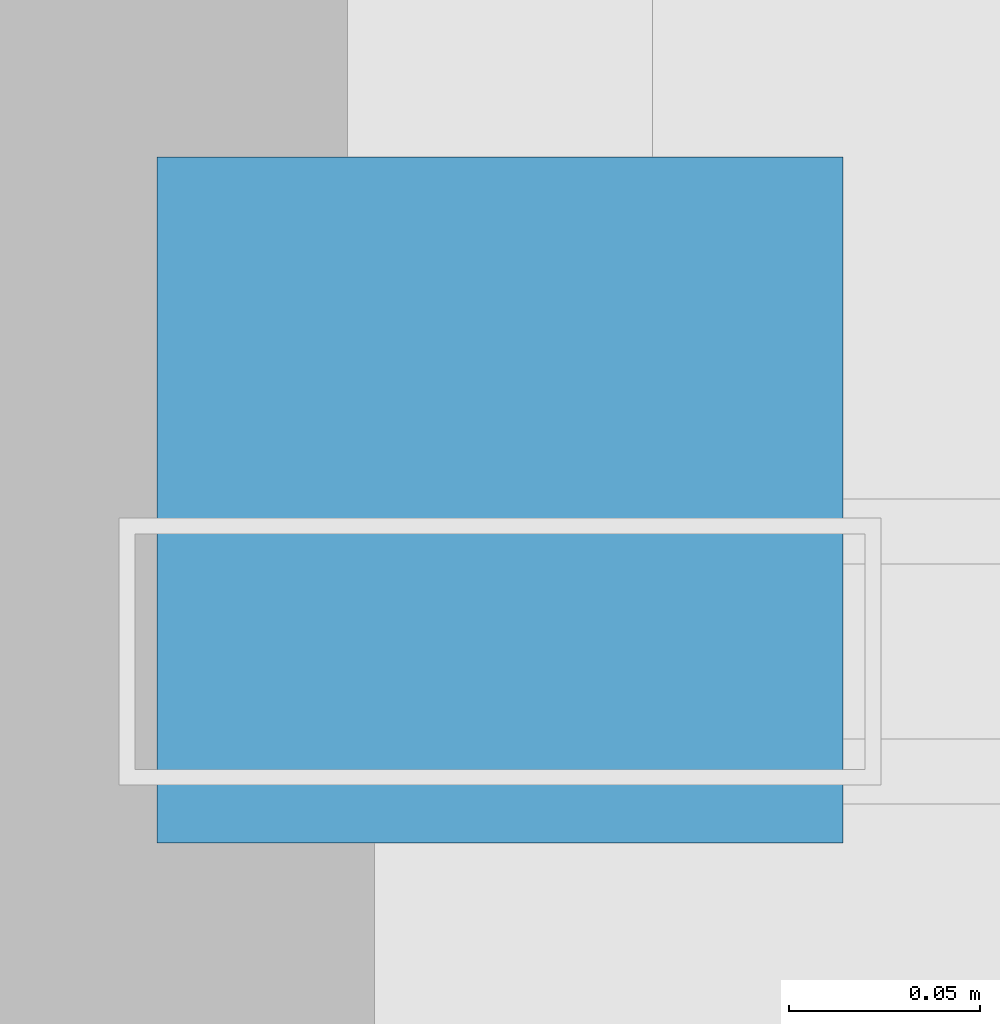
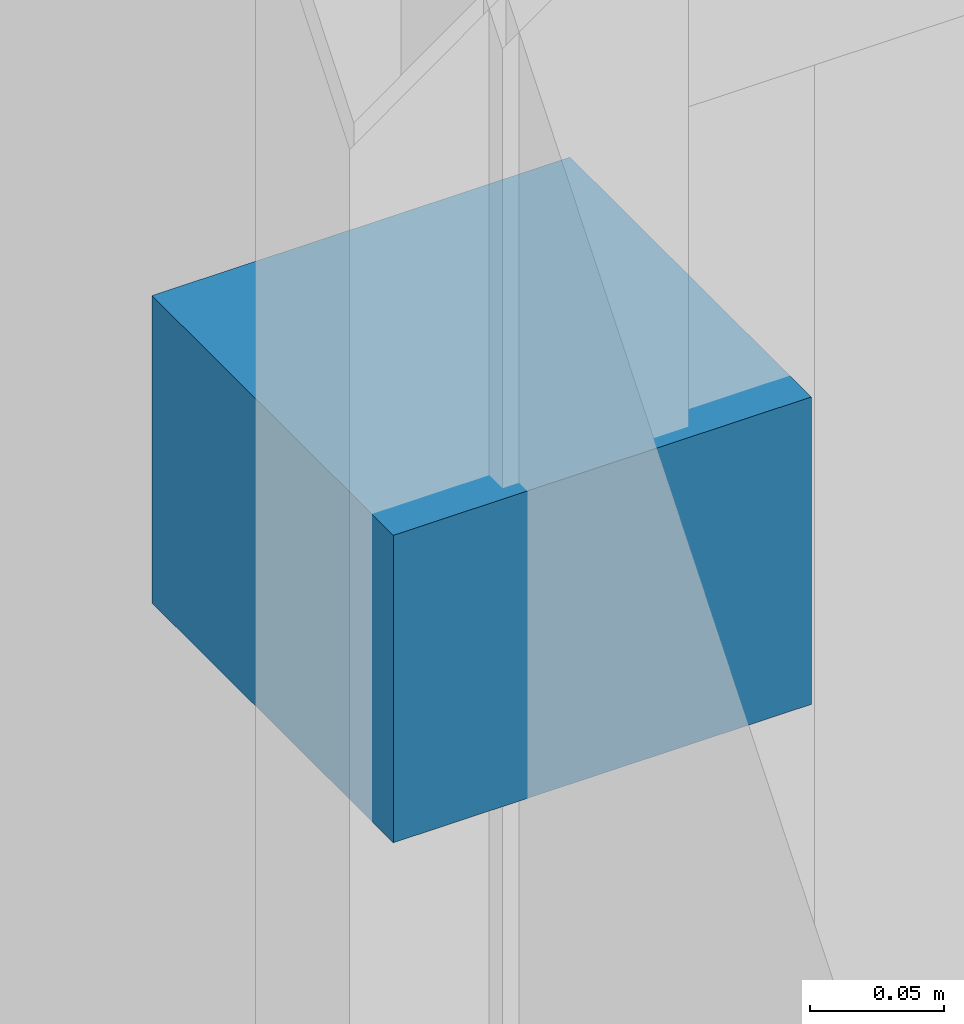
# One storey, part 71 of 85: 1 discrete accessory.
"""IFC4 building model written with IfcOpenShell, lengths in metres."""

from ifc_helpers import new_model, si_unit, direction, frame, origin, origin_2d, place, context, subcontext, project, spatial, rectangle, extrude, material, layer, layer_set, type_object, element, save


model = new_model("IFC4")

# Units and contexts
model_context = context("Model", 3, precision=1e-05, world=origin(), true_north=direction((0.0, 1.0)))
body_context = subcontext(model_context, "Body", "Model", "MODEL_VIEW")
ifc_project = project(units=[si_unit("LENGTHUNIT", "METRE"), si_unit("AREAUNIT", "SQUARE_METRE"), si_unit("VOLUMEUNIT", "CUBIC_METRE"), si_unit("PLANEANGLEUNIT", "RADIAN"), si_unit("MASSUNIT", "GRAM", prefix="KILO")], contexts=[model_context])

# Site, building, storey
site_placement = place(None, origin())
site = spatial("IfcSite", under=ifc_project, at=site_placement, CompositionType="ELEMENT")
building_placement = place(site_placement, origin())
building = spatial("IfcBuilding", under=site, at=building_placement, Name="Vaelkrest Opera House", CompositionType="ELEMENT")
storey_placement = place(building_placement, frame((0.0, 0.0, 10.199951171875)))
storey = spatial("IfcBuildingStorey", under=building, at=storey_placement, Name="L02", CompositionType="ELEMENT", Elevation=10.199951171875)

# Discrete accessory
ifc_material = material(Name="Steel A572 Gr50", Category="steel")
ifc_layer = layer(ifc_material, 0.139892578125)
ifc_layer_set = layer_set([ifc_layer], Name="Steel A572 Gr50")
discrete_accessory_type = type_object("IfcDiscreteAccessoryType", Name="BRK01", PredefinedType="BRACKET", material=ifc_layer_set)
discrete_accessory_placement = place(storey_placement, frame((-63.26708984375, 33.639892578125, 1.77294921875), z_axis=(0.0, 0.0, 1.0), x_axis=(0.0, 1.0, 0.0)))
element("IfcDiscreteAccessory", 1, at=discrete_accessory_placement, inside=storey, type_object=discrete_accessory_type, Name="Shading fin bracket 14", PredefinedType="BRACKET", context=body_context, shape_type="SweptSolid", body=[
    extrude(rectangle(XDim=0.179931640625, YDim=0.179931640625, at=origin_2d()), origin(), (0.0, 0.0, 1.0), 0.139892578125),
])

save(model, "model.ifc")
